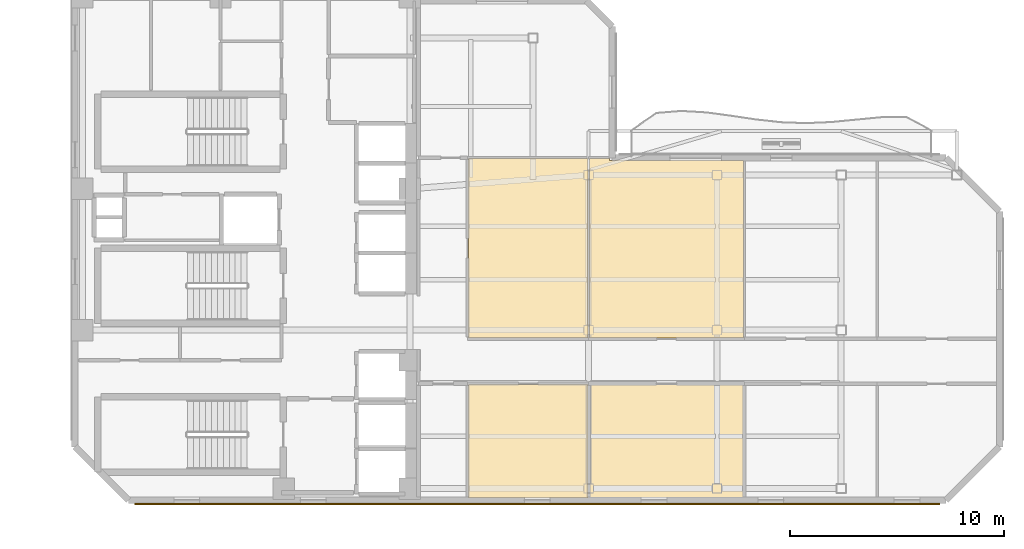
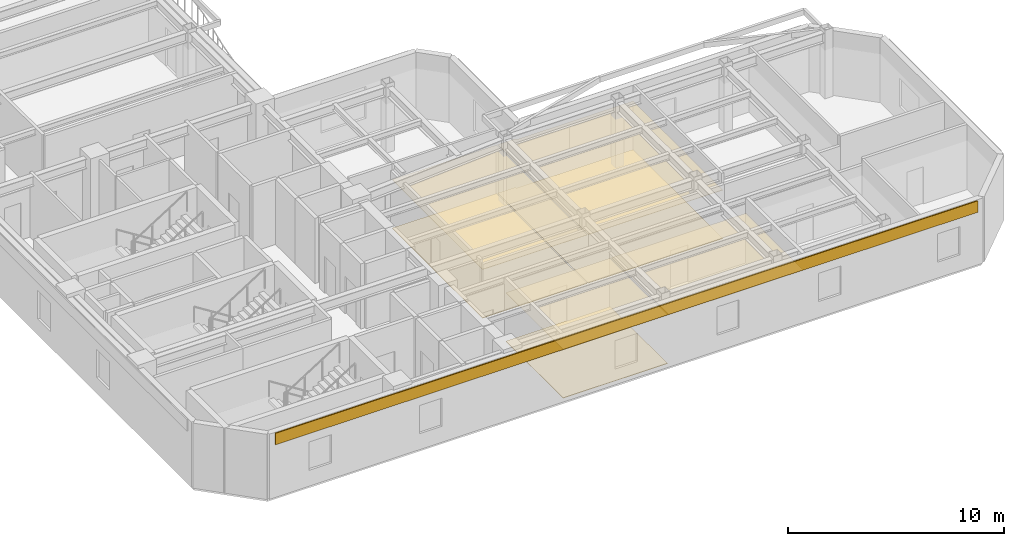
# One storey, part 8 of 13: 8 coverings.
"""IFC4 building model written with IfcOpenShell, lengths in metres."""

from ifc_helpers import new_model, si_unit, direction, frame, origin, origin_2d, place, context, subcontext, project, spatial, polyline, rectangle, outline, extrude, material, layer, layer_set, type_object, element, save


model = new_model("IFC4")

# Units and contexts
model_context = context("Model", 3, precision=1e-05, world=origin(), true_north=direction((0.0, 1.0)))
body_context = subcontext(model_context, "Body", "Model", "MODEL_VIEW")
ifc_project = project(units=[si_unit("LENGTHUNIT", "METRE"), si_unit("AREAUNIT", "SQUARE_METRE"), si_unit("VOLUMEUNIT", "CUBIC_METRE"), si_unit("PLANEANGLEUNIT", "RADIAN"), si_unit("MASSUNIT", "GRAM", prefix="KILO")], contexts=[model_context])

# Site, building, storey
site_placement = place(None, origin())
site = spatial("IfcSite", under=ifc_project, at=site_placement, CompositionType="ELEMENT")
building_placement = place(site_placement, origin())
building = spatial("IfcBuilding", under=site, at=building_placement, Name="Mawjaban Terraces University", CompositionType="ELEMENT")
storey_placement = place(building_placement, frame((0.0, 0.0, 199.199951171875)))
storey = spatial("IfcBuildingStorey", under=building, at=storey_placement, Name="L48", CompositionType="ELEMENT", Elevation=199.199951171875)

# Coverings
ifc_material_1 = material(Name="Acoustic mineral fibre ceiling tile", Category="masonry")
ifc_layer_1 = layer(ifc_material_1, 0.02001953125)
ifc_layer_set_1 = layer_set([ifc_layer_1], Name="Acoustic mineral fibre ceiling tile")
covering_type_1 = type_object("IfcCoveringType", Name="AcousticMineralCeiling_20", PredefinedType="CEILING", material=ifc_layer_set_1)
covering_1_placement = place(storey_placement, frame((0.0, 0.0, 2.75)))
element("IfcCovering", 1, at=covering_1_placement, inside=storey, type_object=covering_type_1, Name="L48 Quiet Reading Room 2 Acoustic Ceiling", PredefinedType="CEILING", context=body_context, shape_type="SweptSolid", body=[
    extrude(outline(polyline([(40.3798828125, 0.114990234375), (45.969970703125, 0.114990234375), (45.969970703125, 5.419921875), (40.3798828125, 5.419921875), (40.3798828125, 0.114990234375)])), origin(), (0.0, 0.0, 1.0), 0.02001953125),
])
covering_2_placement = place(storey_placement, frame((0.0, 0.0, 2.75)))
element("IfcCovering", 2, at=covering_2_placement, inside=storey, type_object=covering_type_1, Name="L48 Reading Salon 3 Acoustic Ceiling", PredefinedType="CEILING", context=body_context, shape_type="SweptSolid", body=[
    extrude(outline(polyline([(45.969970703125, 7.580078125), (45.969970703125, 15.969970703125), (40.3798828125, 15.969970703125), (40.3798828125, 7.580078125), (45.969970703125, 7.580078125)])), origin(), (0.0, 0.0, 1.0), 0.02001953125),
])
covering_3_placement = place(storey_placement, frame((0.0, 0.0, 2.75)))
element("IfcCovering", 3, at=covering_3_placement, inside=storey, type_object=covering_type_1, Name="L48 Media Workshop 4 Acoustic Ceiling", PredefinedType="CEILING", context=body_context, shape_type="SweptSolid", body=[
    extrude(outline(polyline([(46.030029296875, 0.114990234375), (53.241943359375, 0.114990234375), (53.241943359375, 5.419921875), (46.030029296875, 5.419921875), (46.030029296875, 0.114990234375)])), origin(), (0.0, 0.0, 1.0), 0.02001953125),
])
covering_4_placement = place(storey_placement, frame((0.0, 0.0, 2.75)))
element("IfcCovering", 4, at=covering_4_placement, inside=storey, type_object=covering_type_1, Name="L48 Quiet Reading Room 5 Acoustic Ceiling", PredefinedType="CEILING", context=body_context, shape_type="SweptSolid", body=[
    extrude(outline(polyline([(53.241943359375, 15.885009765625), (46.985107421875, 15.885009765625), (46.985107421875, 15.969970703125), (46.030029296875, 15.969970703125), (46.030029296875, 7.580078125), (53.241943359375, 7.580078125), (53.241943359375, 15.885009765625)])), origin(), (0.0, 0.0, 1.0), 0.02001953125),
])
ifc_material_2 = material(Name="Glazed architectural terracotta rainscreen", Category="masonry")
ifc_layer_2 = layer(ifc_material_2, 0.06005859375)
ifc_layer_set_2 = layer_set([ifc_layer_2], Name="Glazed architectural terracotta rainscreen")
covering_type_2 = type_object("IfcCoveringType", Name="TerracottaSpandrelCladding_60", PredefinedType="CLADDING", material=ifc_layer_set_2)
covering_5_placement = place(storey_placement, frame((43.60009765625, -0.175048828125, 3.01513671875), z_axis=(0.0, 0.0, 1.0), x_axis=(1.0, 0.0, 0.0)))
element("IfcCovering", 5, at=covering_5_placement, inside=storey, type_object=covering_type_2, Name="L48 Terracotta Spandrel Cladding 1", PredefinedType="CLADDING", context=body_context, shape_type="SweptSolid", body=[
    extrude(rectangle(XDim=37.60009765625, YDim=0.06005859375, at=origin_2d()), origin(), (0.0, 0.0, 1.0), 0.64990234375),
])
ifc_material_3 = material(Name="Polished Hijazi granite terrazzo flooring", Category="masonry")
ifc_layer_3 = layer(ifc_material_3, 0.02490234375)
ifc_layer_set_3 = layer_set([ifc_layer_3], Name="Polished Hijazi granite terrazzo flooring")
covering_type_3 = type_object("IfcCoveringType", Name="TerrazzoConcourseFlooring_25", PredefinedType="FLOORING", material=ifc_layer_set_3)
covering_6_placement = place(storey_placement, origin())
element("IfcCovering", 6, at=covering_6_placement, inside=storey, type_object=covering_type_3, Name="L48 Quiet Reading Room 2 Terrazzo Flooring", PredefinedType="FLOORING", context=body_context, shape_type="SweptSolid", body=[
    extrude(outline(polyline([(40.3798828125, 0.114990234375), (45.969970703125, 0.114990234375), (45.969970703125, 5.419921875), (40.3798828125, 5.419921875), (40.3798828125, 0.114990234375)])), origin(), (0.0, 0.0, 1.0), 0.025146484375),
])
covering_7_placement = place(storey_placement, origin())
element("IfcCovering", 7, at=covering_7_placement, inside=storey, type_object=covering_type_3, Name="L48 Reading Salon 3 Terrazzo Flooring", PredefinedType="FLOORING", context=body_context, shape_type="SweptSolid", body=[
    extrude(outline(polyline([(45.969970703125, 7.580078125), (45.969970703125, 15.969970703125), (40.3798828125, 15.969970703125), (40.3798828125, 7.580078125), (45.969970703125, 7.580078125)])), origin(), (0.0, 0.0, 1.0), 0.025146484375),
])
covering_8_placement = place(storey_placement, origin())
element("IfcCovering", 8, at=covering_8_placement, inside=storey, type_object=covering_type_3, Name="L48 Quiet Reading Room 5 Terrazzo Flooring", PredefinedType="FLOORING", context=body_context, shape_type="SweptSolid", body=[
    extrude(outline(polyline([(53.241943359375, 15.885009765625), (46.985107421875, 15.885009765625), (46.985107421875, 15.969970703125), (46.030029296875, 15.969970703125), (46.030029296875, 7.580078125), (53.241943359375, 7.580078125), (53.241943359375, 15.885009765625)])), origin(), (0.0, 0.0, 1.0), 0.025146484375),
])

save(model, "model.ifc")
